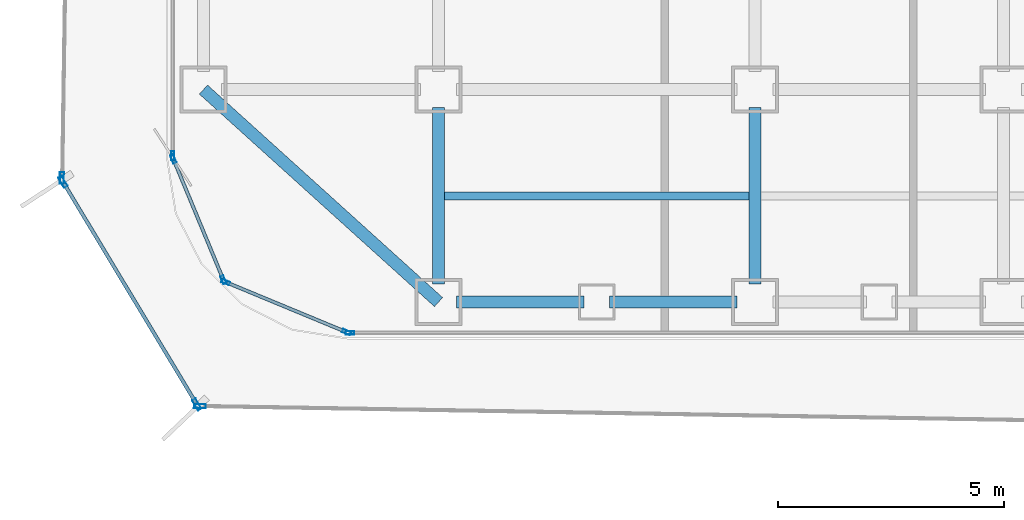
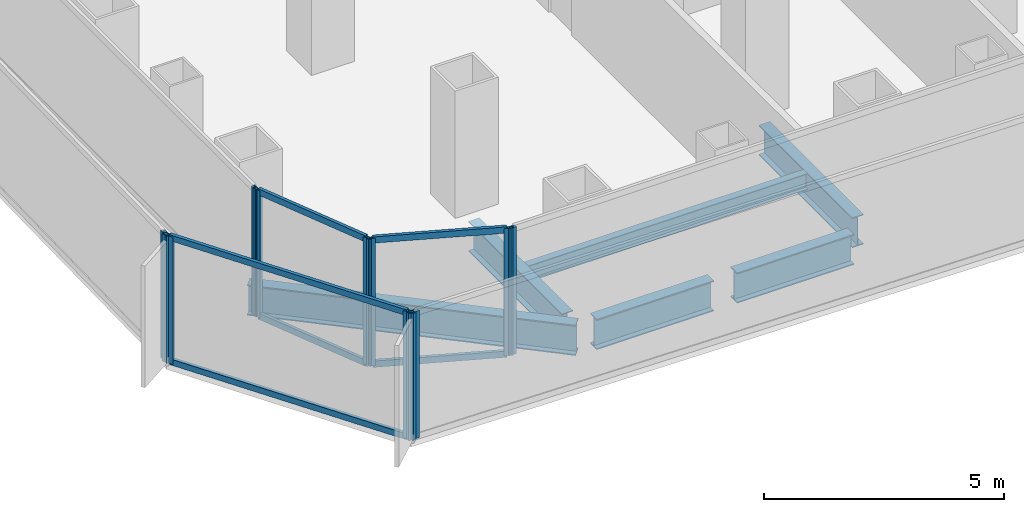
# One storey, part 2 of 22: 16 members, 6 beams, 7 elements without a shape of their own.
"""IFC4 building model written with IfcOpenShell, lengths in metres."""

from ifc_helpers import new_model, si_unit, direction, frame, origin, origin_2d, place, context, subcontext, project, spatial, hollow_rectangle, i_section, extrude, source, transform, mapped, material, layer, layer_set, material_profile, profile_set, type_object, element, aggregate, save


model = new_model("IFC4")

# Units and contexts
model_context = context("Model", 3, precision=1e-05, world=origin(), true_north=direction((0.0, 1.0)))
body_context = subcontext(model_context, "Body", "Model", "MODEL_VIEW")
ifc_project = project(units=[si_unit("LENGTHUNIT", "METRE"), si_unit("AREAUNIT", "SQUARE_METRE"), si_unit("VOLUMEUNIT", "CUBIC_METRE"), si_unit("PLANEANGLEUNIT", "RADIAN"), si_unit("MASSUNIT", "GRAM", prefix="KILO")], contexts=[model_context])

# Site, building, storey
site_placement = place(None, origin())
site = spatial("IfcSite", under=ifc_project, at=site_placement, CompositionType="ELEMENT")
building_placement = place(site_placement, origin())
building = spatial("IfcBuilding", under=site, at=building_placement, Name="Kolveth Station Tower", CompositionType="ELEMENT")
storey_placement = place(building_placement, frame((0.0, 0.0, 72.89990234375)))
storey = spatial("IfcBuildingStorey", under=building, at=storey_placement, Name="L19", CompositionType="ELEMENT", Elevation=72.89990234375)

# Beams
ifc_material_1 = material(Name="Steel S355", Category="steel")
ifc_material_profile_1 = material_profile(ifc_material_1, i_section(OverallWidth=0.26904296875, OverallDepth=0.77490234375, WebThickness=0.01708984375, FlangeThickness=0.0283203125, at=origin_2d()), Name="W760x220")
ifc_profile_set_1 = profile_set([ifc_material_profile_1], Name="Steel S355")
beam_type_1 = type_object("IfcBeamType", Name="Beam_SP1", PredefinedType="SPANDREL", material=ifc_profile_set_1)
shared_shape_1 = source(origin(), body_context, "Body", "SweptSolid", [
    extrude(i_section(OverallWidth=0.26904296875, OverallDepth=0.77490234375, WebThickness=0.01708984375, FlangeThickness=0.0283203125, at=origin_2d()), origin(), (0.0, 0.0, 1.0), 7.00927734375),
])
beam_1_placement = place(storey_placement, frame((0.800048828125, 5.5, -0.66748046875), z_axis=(0.741874009795, -0.670539300557, 0.0), x_axis=(0.670539300557, 0.741874009795, 0.0)))
element("IfcBeam", 1, at=beam_1_placement, inside=storey, type_object=beam_type_1, Name="L19 Corner Edge Girder BM-L19-CNR-SW", PredefinedType="SPANDREL", context=body_context, shape_type="MappedRepresentation", body=[
    mapped(shared_shape_1, transform((0.0, 0.0, 0.0), x_axis=(1.0, 0.0, 0.0), y_axis=(0.0, 1.0, 0.0), z_axis=(0.0, 0.0, 1.0), scale=1.0)),
])
shared_shape_2 = source(origin(), body_context, "Body", "SweptSolid", [
    extrude(i_section(OverallWidth=0.26904296875, OverallDepth=0.77490234375, WebThickness=0.01708984375, FlangeThickness=0.0283203125, at=origin_2d()), origin(), (0.0, 0.0, 1.0), 2.820068359375),
])
for number, where, z_axis, x_axis, name in (
    (2, (6.39990234375, 0.800048828125, -0.66748046875), (1.0, 0.0, 0.0), (0.0, 1.0, 0.0), "L19 Perimeter Spandrel BM-L19-PS-1"),
    (3, (9.780029296875, 0.800048828125, -0.66748046875), (1.0, 0.0, 0.0), (0.0, 1.0, 0.0), "L19 Perimeter Spandrel BM-L19-PS-2"),
):
    element("IfcBeam", number, at=place(storey_placement, frame(where, z_axis=z_axis, x_axis=x_axis)), inside=storey, type_object=beam_type_1, Name=name, PredefinedType="SPANDREL", context=body_context, shape_type="MappedRepresentation", body=[
        mapped(shared_shape_2, transform((0.0, 0.0, 0.0), x_axis=(1.0, 0.0, 0.0), y_axis=(0.0, 1.0, 0.0), z_axis=(0.0, 0.0, 1.0), scale=1.0)),
    ])
ifc_material_profile_2 = material_profile(ifc_material_1, i_section(OverallWidth=0.26708984375, OverallDepth=0.76611328125, WebThickness=0.014892578125, FlangeThickness=0.023681640625, at=origin_2d()), Name="W760x185")
ifc_profile_set_2 = profile_set([ifc_material_profile_2], Name="Steel S355")
beam_type_2 = type_object("IfcBeamType", Name="Beam_B3", PredefinedType="BEAM", material=ifc_profile_set_2)
shared_shape_3 = source(origin(), body_context, "Body", "SweptSolid", [
    extrude(i_section(OverallWidth=0.26708984375, OverallDepth=0.76611328125, WebThickness=0.014892578125, FlangeThickness=0.023681640625, at=origin_2d()), origin(), (0.0, 0.0, 1.0), 3.900146484375),
])
for number, where, z_axis, x_axis, name in (
    (4, (6.0, 1.199951171875, -0.662841796875), (0.0, 1.0, 0.0), (-1.0, 0.0, 0.0), "L19 Primary Girder BM-L19-GX60-1"),
    (5, (13.0, 1.199951171875, -0.662841796875), (0.0, 1.0, 0.0), (-1.0, 0.0, 0.0), "L19 Primary Girder BM-L19-GX130-1"),
):
    element("IfcBeam", number, at=place(storey_placement, frame(where, z_axis=z_axis, x_axis=x_axis)), inside=storey, type_object=beam_type_2, Name=name, PredefinedType="BEAM", context=body_context, shape_type="MappedRepresentation", body=[
        mapped(shared_shape_3, transform((0.0, 0.0, 0.0), x_axis=(1.0, 0.0, 0.0), y_axis=(0.0, 1.0, 0.0), z_axis=(0.0, 0.0, 1.0), scale=1.0)),
    ])
ifc_material_profile_3 = material_profile(ifc_material_1, i_section(OverallWidth=0.177978515625, OverallDepth=0.406982421875, WebThickness=0.0078125, FlangeThickness=0.0126953125, at=origin_2d()), Name="W410x60")
ifc_profile_set_3 = profile_set([ifc_material_profile_3], Name="Steel S355")
beam_type_3 = type_object("IfcBeamType", Name="Beam_J1", PredefinedType="JOIST", material=ifc_profile_set_3)
shared_shape_4 = source(origin(), body_context, "Body", "SweptSolid", [
    extrude(i_section(OverallWidth=0.177978515625, OverallDepth=0.406982421875, WebThickness=0.0078125, FlangeThickness=0.0126953125, at=origin_2d()), origin(), (0.0, 0.0, 1.0), 6.73681640625),
])
beam_2_placement = place(storey_placement, frame((6.131591796875, 3.14990234375, -0.4833984375), z_axis=(1.0, 0.0, 0.0), x_axis=(0.0, 1.0, 0.0)))
element("IfcBeam", 6, at=beam_2_placement, inside=storey, type_object=beam_type_3, Name="L19 Secondary Joist JST-L19-2-1", PredefinedType="JOIST", context=body_context, shape_type="MappedRepresentation", body=[
    mapped(shared_shape_4, transform((0.0, 0.0, 0.0), x_axis=(1.0, 0.0, 0.0), y_axis=(0.0, 1.0, 0.0), z_axis=(0.0, 0.0, 1.0), scale=1.0)),
])

# Curtain wall, members
ifc_material_2 = material(Name="Aluminium 6063-T6 and low-E dark glass", Category="aluminium")
ifc_layer_1 = layer(ifc_material_2, 0.179931640625)
ifc_layer_set_1 = layer_set([ifc_layer_1], Name="Aluminium 6063-T6 and low-E dark glass")
curtain_wall_type_1 = type_object("IfcCurtainWallType", Name="CurtainWall_CW-Z1", PredefinedType="NOTDEFINED", material=ifc_layer_set_1)
curtain_wall_1_placement = place(storey_placement, origin())
curtain_wall_1 = element("IfcCurtainWall", 7, at=curtain_wall_1_placement, inside=storey, type_object=curtain_wall_type_1, Name="L19 Inner Thermal Curtain Wall 10", PredefinedType="NOTDEFINED")
ifc_material_3 = material(Name="Black anodized aluminium 6063-T6", Category="aluminium")
ifc_material_profile_4 = material_profile(ifc_material_3, hollow_rectangle(XDim=0.074951171875, YDim=0.159912109375, WallThickness=0.0048828125, at=origin_2d()), Name="ALU-75x160x5")
ifc_profile_set_4 = profile_set([ifc_material_profile_4], Name="Black anodized aluminium 6063-T6")
member_type_1 = type_object("IfcMemberType", Name="Transom_TR1", PredefinedType="USERDEFINED", material=ifc_profile_set_4)
shared_shape_5 = source(origin(), body_context, "Body", "SweptSolid", [
    extrude(hollow_rectangle(XDim=0.074951171875, YDim=0.159912109375, WallThickness=0.0048828125, at=origin_2d()), origin(), (0.0, 0.0, 1.0), 2.819580078125),
])
member_1_placement = place(storey_placement, frame((0.148681640625, 3.9306640625, 0.03759765625), z_axis=(0.382708655389, -0.923869084389, 0.0), x_axis=(0.923869084389, 0.382708655389, 0.0)))
member_1 = element("IfcMember", 8, at=member_1_placement, type_object=member_type_1, Name="CW-Z1 transom 1.1", ObjectType="TRANSOM", PredefinedType="USERDEFINED", context=body_context, shape_type="MappedRepresentation", body=[
    mapped(shared_shape_5, transform((0.0, 0.0, 0.0), x_axis=(1.0, 0.0, 0.0), y_axis=(0.0, 1.0, 0.0), z_axis=(0.0, 0.0, 1.0), scale=1.0)),
])
member_2_placement = place(storey_placement, frame((0.148681640625, 3.9306640625, 3.20263671875), z_axis=(0.382708655389, -0.923869084389, 0.0), x_axis=(0.923869084389, 0.382708655389, 0.0)))
member_2 = element("IfcMember", 9, at=member_2_placement, type_object=member_type_1, Name="CW-Z1 transom 1.2", ObjectType="TRANSOM", PredefinedType="USERDEFINED", context=body_context, shape_type="MappedRepresentation", body=[
    mapped(shared_shape_5, transform((0.0, 0.0, 0.0), x_axis=(1.0, 0.0, 0.0), y_axis=(0.0, 1.0, 0.0), z_axis=(0.0, 0.0, 1.0), scale=1.0)),
])

curtain_wall_2_placement = place(storey_placement, origin())
curtain_wall_2 = element("IfcCurtainWall", 10, at=curtain_wall_2_placement, inside=storey, type_object=curtain_wall_type_1, Name="L19 Inner Thermal Curtain Wall 11", PredefinedType="NOTDEFINED")
member_3_placement = place(storey_placement, frame((1.32568359375, 1.227783203125, 0.03759765625), z_axis=(0.923869084389, -0.382708655389, 0.0), x_axis=(0.382708655389, 0.923869084389, 0.0)))
member_3 = element("IfcMember", 11, at=member_3_placement, type_object=member_type_1, Name="CW-Z1 transom 1.1", ObjectType="TRANSOM", PredefinedType="USERDEFINED", context=body_context, shape_type="MappedRepresentation", body=[
    mapped(shared_shape_5, transform((0.0, 0.0, 0.0), x_axis=(1.0, 0.0, 0.0), y_axis=(0.0, 1.0, 0.0), z_axis=(0.0, 0.0, 1.0), scale=1.0)),
])
member_4_placement = place(storey_placement, frame((1.32568359375, 1.227783203125, 3.20263671875), z_axis=(0.923869084389, -0.382708655389, 0.0), x_axis=(0.382708655389, 0.923869084389, 0.0)))
member_4 = element("IfcMember", 12, at=member_4_placement, type_object=member_type_1, Name="CW-Z1 transom 1.2", ObjectType="TRANSOM", PredefinedType="USERDEFINED", context=body_context, shape_type="MappedRepresentation", body=[
    mapped(shared_shape_5, transform((0.0, 0.0, 0.0), x_axis=(1.0, 0.0, 0.0), y_axis=(0.0, 1.0, 0.0), z_axis=(0.0, 0.0, 1.0), scale=1.0)),
])

# Curtain wall, member
curtain_wall_3_placement = place(storey_placement, origin())
curtain_wall_3 = element("IfcCurtainWall", 13, at=curtain_wall_3_placement, inside=storey, type_object=curtain_wall_type_1, Name="L19 Inner Thermal Curtain Wall 9", PredefinedType="NOTDEFINED")
ifc_material_profile_5 = material_profile(ifc_material_3, hollow_rectangle(XDim=0.074951171875, YDim=0.18994140625, WallThickness=0.0048828125, at=origin_2d()), Name="ALU-75x190x5")
ifc_profile_set_5 = profile_set([ifc_material_profile_5], Name="Black anodized aluminium 6063-T6")
member_type_2 = type_object("IfcMemberType", Name="Mullion_ML1", PredefinedType="MULLION", material=ifc_profile_set_5)
shared_shape_6 = source(origin(), body_context, "Body", "SweptSolid", [
    extrude(hollow_rectangle(XDim=0.074951171875, YDim=0.18994140625, WallThickness=0.0048828125, at=origin_2d()), origin(), (0.0, 0.0, 1.0), 3.239990234375),
])
member_5_placement = place(storey_placement, frame((0.1201171875, 4.03759765625, 0.0), z_axis=(0.0, 0.0, 1.0), x_axis=(1.0, 0.0, 0.0)))
member_5 = element("IfcMember", 14, at=member_5_placement, type_object=member_type_2, Name="CW-Z1 mullion 2", PredefinedType="MULLION", context=body_context, shape_type="MappedRepresentation", body=[
    mapped(shared_shape_6, transform((0.0, 0.0, 0.0), x_axis=(1.0, 0.0, 0.0), y_axis=(0.0, 1.0, 0.0), z_axis=(0.0, 0.0, 1.0), scale=1.0)),
])
aggregate(curtain_wall_3, [member_5])

# Member
member_6_placement = place(storey_placement, frame((0.13427734375, 3.96533203125, 0.0), z_axis=(0.0, 0.0, 1.0), x_axis=(0.923883857728, 0.382672990201, 0.0)))
member_6 = element("IfcMember", 15, at=member_6_placement, type_object=member_type_2, Name="CW-Z1 mullion 1", PredefinedType="MULLION", context=body_context, shape_type="MappedRepresentation", body=[
    mapped(shared_shape_6, transform((0.0, 0.0, 0.0), x_axis=(1.0, 0.0, 0.0), y_axis=(0.0, 1.0, 0.0), z_axis=(0.0, 0.0, 1.0), scale=1.0)),
])

member_7_placement = place(storey_placement, frame((1.241943359375, 1.291015625, 0.0), z_axis=(0.0, 0.0, 1.0), x_axis=(0.923883857728, 0.382672990201, 0.0)))
member_7 = element("IfcMember", 16, at=member_7_placement, type_object=member_type_2, Name="CW-Z1 mullion 2", PredefinedType="MULLION", context=body_context, shape_type="MappedRepresentation", body=[
    mapped(shared_shape_6, transform((0.0, 0.0, 0.0), x_axis=(1.0, 0.0, 0.0), y_axis=(0.0, 1.0, 0.0), z_axis=(0.0, 0.0, 1.0), scale=1.0)),
])

aggregate(curtain_wall_1, [member_6, member_7, member_1, member_2])

member_8_placement = place(storey_placement, frame((1.291015625, 1.241943359375, 0.0), z_axis=(0.0, 0.0, 1.0), x_axis=(0.382672990201, 0.923883857728, 0.0)))
member_8 = element("IfcMember", 17, at=member_8_placement, type_object=member_type_2, Name="CW-Z1 mullion 1", PredefinedType="MULLION", context=body_context, shape_type="MappedRepresentation", body=[
    mapped(shared_shape_6, transform((0.0, 0.0, 0.0), x_axis=(1.0, 0.0, 0.0), y_axis=(0.0, 1.0, 0.0), z_axis=(0.0, 0.0, 1.0), scale=1.0)),
])

member_9_placement = place(storey_placement, frame((3.96533203125, 0.13427734375, 0.0), z_axis=(0.0, 0.0, 1.0), x_axis=(0.382672990201, 0.923883857728, 0.0)))
member_9 = element("IfcMember", 18, at=member_9_placement, type_object=member_type_2, Name="CW-Z1 mullion 2", PredefinedType="MULLION", context=body_context, shape_type="MappedRepresentation", body=[
    mapped(shared_shape_6, transform((0.0, 0.0, 0.0), x_axis=(1.0, 0.0, 0.0), y_axis=(0.0, 1.0, 0.0), z_axis=(0.0, 0.0, 1.0), scale=1.0)),
])

aggregate(curtain_wall_2, [member_8, member_9, member_3, member_4])

# Curtain wall, member
curtain_wall_4_placement = place(storey_placement, origin())
curtain_wall_4 = element("IfcCurtainWall", 19, at=curtain_wall_4_placement, inside=storey, type_object=curtain_wall_type_1, Name="L19 Inner Thermal Curtain Wall 12", PredefinedType="NOTDEFINED")
member_10_placement = place(storey_placement, frame((4.03759765625, 0.1201171875, 0.0), z_axis=(0.0, 0.0, 1.0), x_axis=(0.0, 1.0, 0.0)))
member_10 = element("IfcMember", 20, at=member_10_placement, type_object=member_type_2, Name="CW-Z1 mullion 1", PredefinedType="MULLION", context=body_context, shape_type="MappedRepresentation", body=[
    mapped(shared_shape_6, transform((0.0, 0.0, 0.0), x_axis=(1.0, 0.0, 0.0), y_axis=(0.0, 1.0, 0.0), z_axis=(0.0, 0.0, 1.0), scale=1.0)),
])
aggregate(curtain_wall_4, [member_10])

ifc_material_4 = material(Name="Black anodized aluminium 6063-T6 and dark solar glass", Category="aluminium")
ifc_layer_2 = layer(ifc_material_4, 0.159912109375)
ifc_layer_set_2 = layer_set([ifc_layer_2], Name="Black anodized aluminium 6063-T6 and dark solar glass")
curtain_wall_type_2 = type_object("IfcCurtainWallType", Name="OUTER SKIN CW-OS", PredefinedType="NOTDEFINED", material=ifc_layer_set_2)
curtain_wall_5_placement = place(storey_placement, origin())
curtain_wall_5 = element("IfcCurtainWall", 21, at=curtain_wall_5_placement, inside=storey, type_object=curtain_wall_type_2, Name="L19 Outer Ventilated Skin Curtain Wall 6", PredefinedType="NOTDEFINED")
ifc_material_profile_6 = material_profile(ifc_material_3, hollow_rectangle(XDim=0.090087890625, YDim=0.260009765625, WallThickness=0.0048828125, at=origin_2d()), Name="ALU-90x260x5")
ifc_profile_set_6 = profile_set([ifc_material_profile_6], Name="Black anodized aluminium 6063-T6")
member_type_3 = type_object("IfcMemberType", Name="FIN MULLION ML-OS", PredefinedType="MULLION", material=ifc_profile_set_6)
shared_shape_7 = source(origin(), body_context, "Body", "SweptSolid", [
    extrude(hollow_rectangle(XDim=0.090087890625, YDim=0.260009765625, WallThickness=0.0048828125, at=origin_2d()), origin(), (0.0, 0.0, 1.0), 3.239990234375),
])
member_11_placement = place(storey_placement, frame((-2.330810546875, 3.54296875, 0.0), z_axis=(0.0, 0.0, 1.0), x_axis=(0.999883199442, -0.015283568744, 0.0)))
member_11 = element("IfcMember", 22, at=member_11_placement, type_object=member_type_3, Name="CW-OS mullion 2", PredefinedType="MULLION", context=body_context, shape_type="MappedRepresentation", body=[
    mapped(shared_shape_7, transform((0.0, 0.0, 0.0), x_axis=(1.0, 0.0, 0.0), y_axis=(0.0, 1.0, 0.0), z_axis=(0.0, 0.0, 1.0), scale=1.0)),
])
aggregate(curtain_wall_5, [member_11])

# Curtain wall, members
curtain_wall_6_placement = place(storey_placement, origin())
curtain_wall_6 = element("IfcCurtainWall", 23, at=curtain_wall_6_placement, inside=storey, type_object=curtain_wall_type_2, Name="L19 Outer Ventilated Skin Curtain Wall 7", PredefinedType="NOTDEFINED")
member_12_placement = place(storey_placement, frame((-2.30810546875, 3.459228515625, 0.0), z_axis=(0.0, 0.0, 1.0), x_axis=(0.856902670792, 0.515478236969, 0.0)))
member_12 = element("IfcMember", 24, at=member_12_placement, type_object=member_type_3, Name="CW-OS mullion 1", PredefinedType="MULLION", context=body_context, shape_type="MappedRepresentation", body=[
    mapped(shared_shape_7, transform((0.0, 0.0, 0.0), x_axis=(1.0, 0.0, 0.0), y_axis=(0.0, 1.0, 0.0), z_axis=(0.0, 0.0, 1.0), scale=1.0)),
])
member_13_placement = place(storey_placement, frame((0.653564453125, -1.464111328125, 0.0), z_axis=(0.0, 0.0, 1.0), x_axis=(0.856902670792, 0.515478236969, 0.0)))
member_13 = element("IfcMember", 25, at=member_13_placement, type_object=member_type_3, Name="CW-OS mullion 2", PredefinedType="MULLION", context=body_context, shape_type="MappedRepresentation", body=[
    mapped(shared_shape_7, transform((0.0, 0.0, 0.0), x_axis=(1.0, 0.0, 0.0), y_axis=(0.0, 1.0, 0.0), z_axis=(0.0, 0.0, 1.0), scale=1.0)),
])

# Curtain wall, member
curtain_wall_7_placement = place(storey_placement, origin())
curtain_wall_7 = element("IfcCurtainWall", 26, at=curtain_wall_7_placement, inside=storey, type_object=curtain_wall_type_2, Name="L19 Outer Ventilated Skin Curtain Wall 8", PredefinedType="NOTDEFINED")
member_14_placement = place(storey_placement, frame((0.7216796875, -1.50341796875, 0.0), z_axis=(0.0, 0.0, 1.0), x_axis=(0.017034050326, 0.999854910039, 0.0)))
member_14 = element("IfcMember", 27, at=member_14_placement, type_object=member_type_3, Name="CW-OS mullion 1", PredefinedType="MULLION", context=body_context, shape_type="MappedRepresentation", body=[
    mapped(shared_shape_7, transform((0.0, 0.0, 0.0), x_axis=(1.0, 0.0, 0.0), y_axis=(0.0, 1.0, 0.0), z_axis=(0.0, 0.0, 1.0), scale=1.0)),
])
aggregate(curtain_wall_7, [member_14])

# Member
ifc_material_profile_7 = material_profile(ifc_material_3, hollow_rectangle(XDim=0.080078125, YDim=0.14990234375, WallThickness=0.0048828125, at=origin_2d()), Name="ALU-80x150x5")
ifc_profile_set_7 = profile_set([ifc_material_profile_7], Name="Black anodized aluminium 6063-T6")
member_type_4 = type_object("IfcMemberType", Name="Transom_TR-OS", PredefinedType="USERDEFINED", material=ifc_profile_set_7)
shared_shape_8 = source(origin(), body_context, "Body", "SweptSolid", [
    extrude(hollow_rectangle(XDim=0.080078125, YDim=0.14990234375, WallThickness=0.0048828125, at=origin_2d()), origin(), (0.0, 0.0, 1.0), 5.65576171875),
])
member_15_placement = place(storey_placement, frame((-2.284912109375, 3.4208984375, 0.0400390625), z_axis=(0.515460345087, -0.856913433576, 0.0), x_axis=(0.856913433576, 0.515460345087, 0.0)))
member_15 = element("IfcMember", 28, at=member_15_placement, type_object=member_type_4, Name="CW-OS transom 1.1", ObjectType="TRANSOM", PredefinedType="USERDEFINED", context=body_context, shape_type="MappedRepresentation", body=[
    mapped(shared_shape_8, transform((0.0, 0.0, 0.0), x_axis=(1.0, 0.0, 0.0), y_axis=(0.0, 1.0, 0.0), z_axis=(0.0, 0.0, 1.0), scale=1.0)),
])

member_16_placement = place(storey_placement, frame((-2.284912109375, 3.4208984375, 3.2001953125), z_axis=(0.515460345087, -0.856913433576, 0.0), x_axis=(0.856913433576, 0.515460345087, 0.0)))
member_16 = element("IfcMember", 29, at=member_16_placement, type_object=member_type_4, Name="CW-OS transom 1.2", ObjectType="TRANSOM", PredefinedType="USERDEFINED", context=body_context, shape_type="MappedRepresentation", body=[
    mapped(shared_shape_8, transform((0.0, 0.0, 0.0), x_axis=(1.0, 0.0, 0.0), y_axis=(0.0, 1.0, 0.0), z_axis=(0.0, 0.0, 1.0), scale=1.0)),
])

aggregate(curtain_wall_6, [member_12, member_13, member_15, member_16])

save(model, "model.ifc")
